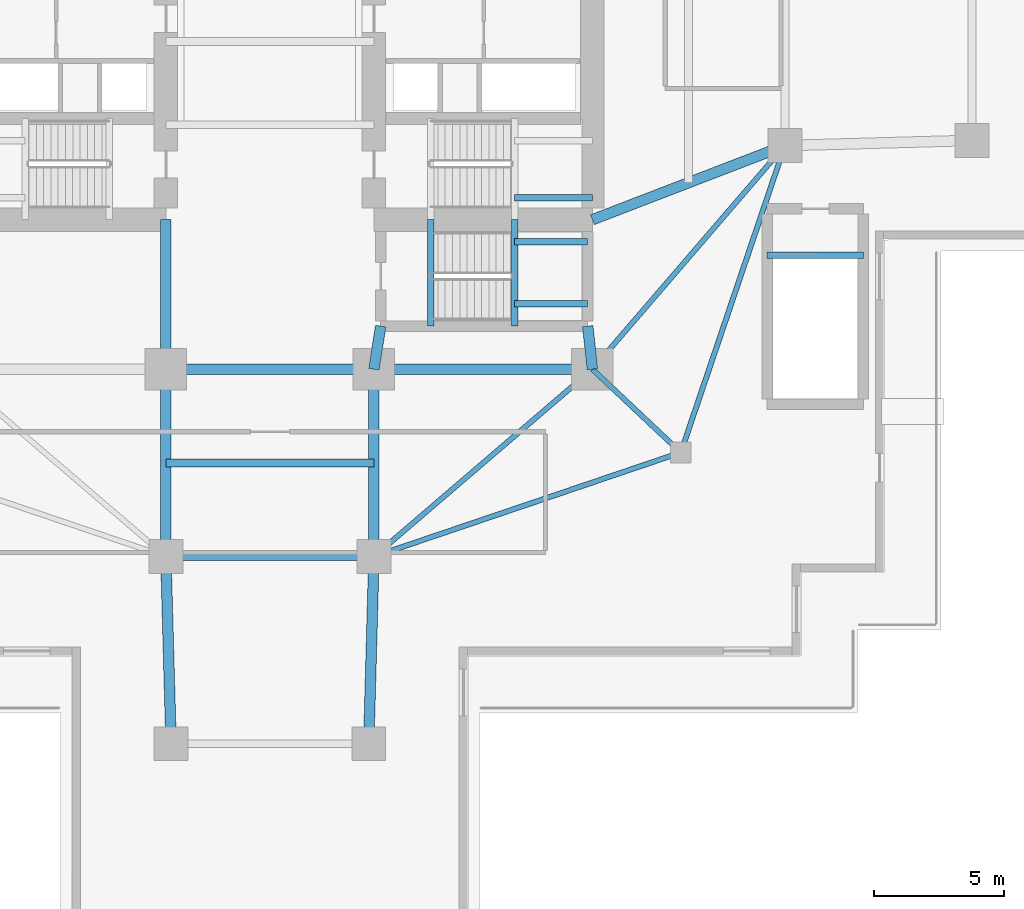
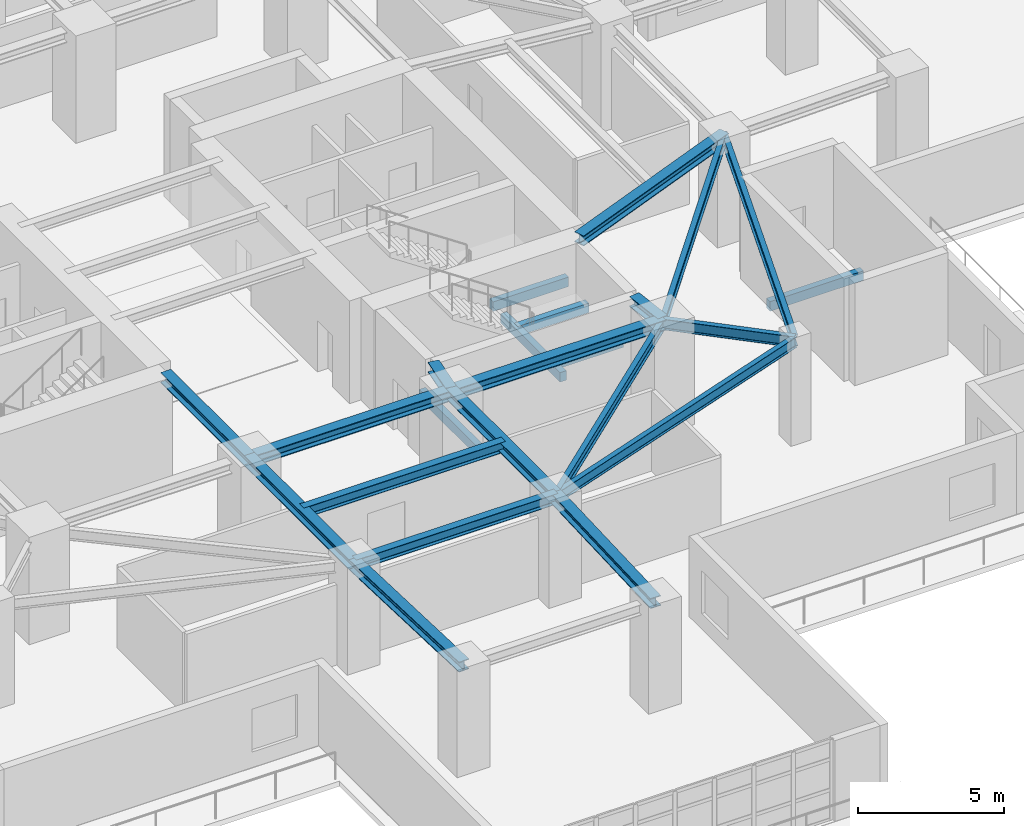
# One storey, part 6 of 24: 23 beams.
"""IFC4 building model written with IfcOpenShell, lengths in metres."""

from ifc_helpers import new_model, si_unit, direction, frame, origin, origin_2d, place, context, subcontext, project, spatial, rectangle, i_section, extrude, material, material_profile, profile_set, type_object, element, save


model = new_model("IFC4")

# Units and contexts
model_context = context("Model", 3, precision=1e-05, world=origin(), true_north=direction((0.0, 1.0)))
body_context = subcontext(model_context, "Body", "Model", "MODEL_VIEW")
ifc_project = project(units=[si_unit("LENGTHUNIT", "METRE"), si_unit("AREAUNIT", "SQUARE_METRE"), si_unit("VOLUMEUNIT", "CUBIC_METRE"), si_unit("PLANEANGLEUNIT", "RADIAN"), si_unit("MASSUNIT", "GRAM", prefix="KILO")], contexts=[model_context])

# Site, building, storey
site_placement = place(None, origin())
site = spatial("IfcSite", under=ifc_project, at=site_placement, CompositionType="ELEMENT")
building_placement = place(site_placement, origin())
building = spatial("IfcBuilding", under=site, at=building_placement, Name="Qingluan Cross Belvedere", CompositionType="ELEMENT")
storey_placement = place(building_placement, frame((0.0, 0.0, 19.199951171875)))
storey = spatial("IfcBuildingStorey", under=building, at=storey_placement, Name="L05", CompositionType="ELEMENT", Elevation=19.199951171875)

# Beams
ifc_material_1 = material(Name="Concrete C45", Category="concrete")
ifc_material_profile_1 = material_profile(ifc_material_1, rectangle(XDim=0.25, YDim=0.39990234375, at=origin_2d()), Name="RC250x400")
ifc_profile_set_1 = profile_set([ifc_material_profile_1], Name="Concrete C45")
beam_type_1 = type_object("IfcBeamType", Name="RC_Lintel_RC250x400", PredefinedType="LINTEL", material=ifc_profile_set_1)
beam_1_placement = place(storey_placement, frame((6.179931640625, -10.93994140625, -0.199951171875), z_axis=(0.0, 1.0, 0.0), x_axis=(-1.0, 0.0, 0.0)))
element("IfcBeam", 1, at=beam_1_placement, inside=storey, type_object=beam_type_1, Name="Stair ST4 landing beam L05", PredefinedType="LINTEL", context=body_context, shape_type="SweptSolid", body=[
    extrude(rectangle(XDim=0.25, YDim=0.39990234375, at=origin_2d()), origin(), (0.0, 0.0, 1.0), 4.08984375),
])
beam_2_placement = place(storey_placement, frame((19.1201171875, -8.2099609375, -0.199951171875), z_axis=(1.0, 0.0, 0.0), x_axis=(0.0, 1.0, 0.0)))
element("IfcBeam", 2, at=beam_2_placement, inside=storey, type_object=beam_type_1, Name="Stair ST6 landing beam L05", PredefinedType="LINTEL", context=body_context, shape_type="SweptSolid", body=[
    extrude(rectangle(XDim=0.25, YDim=0.39990234375, at=origin_2d()), origin(), (0.0, 0.0, 1.0), 3.699951171875),
])
beam_3_placement = place(storey_placement, frame((12.39990234375, -6.0, 1.85009765625), z_axis=(-1.0, 0.0, 0.0), x_axis=(0.0, -1.0, 0.0)))
element("IfcBeam", 3, at=beam_3_placement, inside=storey, type_object=beam_type_1, Name="Stair ST2 beam B L05", PredefinedType="LINTEL", context=body_context, shape_type="SweptSolid", body=[
    extrude(rectangle(XDim=0.25, YDim=0.39990234375, at=origin_2d()), origin(), (0.0, 0.0, 1.0), 2.989990234375),
])
beam_4_placement = place(storey_placement, frame((9.409912109375, -10.93994140625, 1.85009765625), z_axis=(0.0, 1.0, 0.0), x_axis=(-1.0, 0.0, 0.0)))
element("IfcBeam", 4, at=beam_4_placement, inside=storey, type_object=beam_type_1, Name="Stair ST4 beam A L05", PredefinedType="LINTEL", context=body_context, shape_type="SweptSolid", body=[
    extrude(rectangle(XDim=0.25, YDim=0.39990234375, at=origin_2d()), origin(), (0.0, 0.0, 1.0), 4.08984375),
])
for number, where, z_axis, x_axis, name in (
    (5, (12.219970703125, -10.090087890625, 1.85009765625), (-1.0, 0.0, 0.0), (0.0, -1.0, 0.0), "Stair ST4 beam B L05"),
    (6, (12.219970703125, -7.699951171875, 1.85009765625), (-1.0, 0.0, 0.0), (0.0, -1.0, 0.0), "Stair ST4 beam C L05"),
):
    element("IfcBeam", number, at=place(storey_placement, frame(where, z_axis=z_axis, x_axis=x_axis)), inside=storey, type_object=beam_type_1, Name=name, PredefinedType="LINTEL", context=body_context, shape_type="SweptSolid", body=[
        extrude(rectangle(XDim=0.25, YDim=0.39990234375, at=origin_2d()), origin(), (0.0, 0.0, 1.0), 2.81005859375),
    ])
ifc_material_2 = material(Name="Steel Q420GJB", Category="steel")
ifc_material_profile_2 = material_profile(ifc_material_2, i_section(OverallWidth=0.300048828125, OverallDepth=0.43994140625, WebThickness=0.010986328125, FlangeThickness=0.01806640625, FilletRadius=0.02001953125, at=origin_2d()), Name="HM440x300x11x18")
ifc_profile_set_2 = profile_set([ifc_material_profile_2], Name="Steel Q420GJB")
beam_type_2 = type_object("IfcBeamType", Name="Steel_Beam_HM440x300x11x18", PredefinedType="BEAM", material=ifc_profile_set_2)
for number, where, z_axis, x_axis, name in (
    (7, (-4.0, -19.800048828125, 4.080078125), (1.0, 0.0, 0.0), (0.0, 1.0, 0.0), "Arm S tie L05"),
    (8, (-4.0, -16.199951171875, 4.080078125), (1.0, 0.0, 0.0), (0.0, 1.0, 0.0), "Arm S beam L05"),
):
    element("IfcBeam", number, at=place(storey_placement, frame(where, z_axis=z_axis, x_axis=x_axis)), inside=storey, type_object=beam_type_2, Name=name, PredefinedType="BEAM", context=body_context, shape_type="SweptSolid", body=[
        extrude(i_section(OverallWidth=0.300048828125, OverallDepth=0.43994140625, WebThickness=0.010986328125, FlangeThickness=0.01806640625, FilletRadius=0.02001953125, at=origin_2d()), origin(), (0.0, 0.0, 1.0), 8.0),
    ])
ifc_material_3 = material(Name="Steel Q420GJB", Category="steel")
ifc_material_profile_3 = material_profile(ifc_material_3, i_section(OverallWidth=0.199951171875, OverallDepth=0.449951171875, WebThickness=0.009033203125, FlangeThickness=0.013916015625, FilletRadius=0.01611328125, at=origin_2d()), Name="HN450x200x9x14")
ifc_profile_set_3 = profile_set([ifc_material_profile_3], Name="Steel Q420GJB")
beam_type_3 = type_object("IfcBeamType", Name="Steel_Beam_HN450x200x9x14", PredefinedType="JOIST", material=ifc_profile_set_3)
beam_5_placement = place(storey_placement, frame((12.39990234375, -12.60009765625, 4.054931640625), z_axis=(0.728219948308, -0.685343495546, 0.0), x_axis=(0.685343495546, 0.728219948308, 0.0)))
element("IfcBeam", 9, at=beam_5_placement, inside=storey, type_object=beam_type_3, Name="Corner beam 1 L05-RSE", PredefinedType="JOIST", context=body_context, shape_type="SweptSolid", body=[
    extrude(i_section(OverallWidth=0.199951171875, OverallDepth=0.449951171875, WebThickness=0.009033203125, FlangeThickness=0.013916015625, FilletRadius=0.01611328125, at=origin_2d()), origin(), (0.0, 0.0, 1.0), 4.669189453125),
])
for number, where, z_axis, x_axis, name in (
    (10, (15.800048828125, -15.800048828125, 4.054931640625), (-0.947066283324, -0.321038089628, 0.0), (0.321038089628, -0.947066283324, 0.0), "Corner beam 2 L05-RSE"),
    (11, (15.800048828125, -15.800048828125, 4.054931640625), (0.321038089628, 0.947066283324, 0.0), (-0.947066283324, 0.321038089628, 0.0), "Corner beam 3 L05-RSE"),
):
    element("IfcBeam", number, at=place(storey_placement, frame(where, z_axis=z_axis, x_axis=x_axis)), inside=storey, type_object=beam_type_3, Name=name, PredefinedType="JOIST", context=body_context, shape_type="SweptSolid", body=[
        extrude(i_section(OverallWidth=0.199951171875, OverallDepth=0.449951171875, WebThickness=0.009033203125, FlangeThickness=0.013916015625, FilletRadius=0.01611328125, at=origin_2d()), origin(), (0.0, 0.0, 1.0), 12.45947265625),
    ])
beam_6_placement = place(storey_placement, frame((12.39990234375, -12.60009765625, 4.054931640625), z_axis=(0.652245077546, 0.75800815221, 0.0), x_axis=(-0.75800815221, 0.652245077546, 0.0)))
element("IfcBeam", 12, at=beam_6_placement, inside=storey, type_object=beam_type_3, Name="Corner beam 4 L05-RSE", PredefinedType="JOIST", context=body_context, shape_type="SweptSolid", body=[
    extrude(i_section(OverallWidth=0.199951171875, OverallDepth=0.449951171875, WebThickness=0.009033203125, FlangeThickness=0.013916015625, FilletRadius=0.01611328125, at=origin_2d()), origin(), (0.0, 0.0, 1.0), 11.345703125),
])
beam_7_placement = place(storey_placement, frame((12.39990234375, -12.60009765625, 4.054931640625), z_axis=(-0.759255044656, -0.650793190779, 0.0), x_axis=(0.650793190779, -0.759255044656, 0.0)))
element("IfcBeam", 13, at=beam_7_placement, inside=storey, type_object=beam_type_3, Name="Corner beam 5 L05-RSE", PredefinedType="JOIST", context=body_context, shape_type="SweptSolid", body=[
    extrude(i_section(OverallWidth=0.199951171875, OverallDepth=0.449951171875, WebThickness=0.009033203125, FlangeThickness=0.013916015625, FilletRadius=0.01611328125, at=origin_2d()), origin(), (0.0, 0.0, 1.0), 11.063232421875),
])
ifc_material_4 = material(Name="Steel Q420GJB", Category="steel")
ifc_material_profile_4 = material_profile(ifc_material_4, i_section(OverallWidth=0.406982421875, OverallDepth=0.427978515625, WebThickness=0.02001953125, FlangeThickness=0.034912109375, FilletRadius=0.02197265625, at=origin_2d()), Name="HW428x407x20x35")
ifc_profile_set_4 = profile_set([ifc_material_profile_4], Name="Steel Q420GJB")
beam_type_4 = type_object("IfcBeamType", Name="Steel_Girder_HW428x407x20x35", PredefinedType="USERDEFINED", material=ifc_profile_set_4)
beam_8_placement = place(storey_placement, frame((-4.0, -12.60009765625, 4.0859375), z_axis=(1.0, 0.0, 0.0), x_axis=(0.0, 1.0, 0.0)))
element("IfcBeam", 14, at=beam_8_placement, inside=storey, type_object=beam_type_4, Name="Hub girder L05-HG-S2", ObjectType="GIRDER", PredefinedType="USERDEFINED", context=body_context, shape_type="SweptSolid", body=[
    extrude(i_section(OverallWidth=0.406982421875, OverallDepth=0.427978515625, WebThickness=0.02001953125, FlangeThickness=0.034912109375, FilletRadius=0.02197265625, at=origin_2d()), origin(), (0.0, 0.0, 1.0), 8.0),
])
beam_9_placement = place(storey_placement, frame((4.0, -12.60009765625, 4.0859375), z_axis=(1.0, 0.0, 0.0), x_axis=(0.0, 1.0, 0.0)))
element("IfcBeam", 15, at=beam_9_placement, inside=storey, type_object=beam_type_4, Name="Hub girder L05-HG-S3", ObjectType="GIRDER", PredefinedType="USERDEFINED", context=body_context, shape_type="SweptSolid", body=[
    extrude(i_section(OverallWidth=0.406982421875, OverallDepth=0.427978515625, WebThickness=0.02001953125, FlangeThickness=0.034912109375, FilletRadius=0.02197265625, at=origin_2d()), origin(), (0.0, 0.0, 1.0), 8.39990234375),
])
beam_10_placement = place(storey_placement, frame((12.39990234375, -12.60009765625, 4.0859375), z_axis=(-0.107751337451, 0.994177876075, 0.0), x_axis=(-0.994177876075, -0.107751337451, 0.0)))
element("IfcBeam", 16, at=beam_10_placement, inside=storey, type_object=beam_type_4, Name="Hub girder L05-HG-E1", ObjectType="GIRDER", PredefinedType="USERDEFINED", context=body_context, shape_type="SweptSolid", body=[
    extrude(i_section(OverallWidth=0.406982421875, OverallDepth=0.427978515625, WebThickness=0.02001953125, FlangeThickness=0.034912109375, FilletRadius=0.02197265625, at=origin_2d()), origin(), (0.0, 0.0, 1.0), 1.669921875),
])
beam_11_placement = place(storey_placement, frame((-4.0, -12.60009765625, 4.0859375), z_axis=(0.0, 1.0, 0.0), x_axis=(-1.0, 0.0, 0.0)))
element("IfcBeam", 17, at=beam_11_placement, inside=storey, type_object=beam_type_4, Name="Hub girder L05-HG-CW", ObjectType="GIRDER", PredefinedType="USERDEFINED", context=body_context, shape_type="SweptSolid", body=[
    extrude(i_section(OverallWidth=0.406982421875, OverallDepth=0.427978515625, WebThickness=0.02001953125, FlangeThickness=0.034912109375, FilletRadius=0.02197265625, at=origin_2d()), origin(), (0.0, 0.0, 1.0), 5.75),
])
beam_12_placement = place(storey_placement, frame((4.0, -12.60009765625, 4.0859375), z_axis=(0.154731433337, 0.987956569662, 0.0), x_axis=(-0.987956569662, 0.154731433337, 0.0)))
element("IfcBeam", 18, at=beam_12_placement, inside=storey, type_object=beam_type_4, Name="Hub girder L05-HG-CE", ObjectType="GIRDER", PredefinedType="USERDEFINED", context=body_context, shape_type="SweptSolid", body=[
    extrude(i_section(OverallWidth=0.406982421875, OverallDepth=0.427978515625, WebThickness=0.02001953125, FlangeThickness=0.034912109375, FilletRadius=0.02197265625, at=origin_2d()), origin(), (0.0, 0.0, 1.0), 1.680419921875),
])
beam_13_placement = place(storey_placement, frame((12.39990234375, -6.85009765625, 4.0859375), z_axis=(0.933181258889, 0.359406090735, 0.0), x_axis=(-0.359406090735, 0.933181258889, 0.0)))
element("IfcBeam", 19, at=beam_13_placement, inside=storey, type_object=beam_type_4, Name="Arm E radial girder A L05", ObjectType="GIRDER", PredefinedType="USERDEFINED", context=body_context, shape_type="SweptSolid", body=[
    extrude(i_section(OverallWidth=0.406982421875, OverallDepth=0.427978515625, WebThickness=0.02001953125, FlangeThickness=0.034912109375, FilletRadius=0.02197265625, at=origin_2d()), origin(), (0.0, 0.0, 1.0), 7.929931640625),
])
for number, where, z_axis, x_axis, name in (
    (20, (-4.0, -12.60009765625, 4.0859375), (0.0, -1.0, 0.0), (1.0, 0.0, 0.0), "Arm S radial girder A L05"),
    (21, (4.0, -12.60009765625, 4.0859375), (0.0, -1.0, 0.0), (1.0, 0.0, 0.0), "Arm S radial girder B L05"),
):
    element("IfcBeam", number, at=place(storey_placement, frame(where, z_axis=z_axis, x_axis=x_axis)), inside=storey, type_object=beam_type_4, Name=name, ObjectType="GIRDER", PredefinedType="USERDEFINED", context=body_context, shape_type="SweptSolid", body=[
        extrude(i_section(OverallWidth=0.406982421875, OverallDepth=0.427978515625, WebThickness=0.02001953125, FlangeThickness=0.034912109375, FilletRadius=0.02197265625, at=origin_2d()), origin(), (0.0, 0.0, 1.0), 7.199951171875),
    ])
for number, where, z_axis, x_axis, name in (
    (22, (-4.0, -19.800048828125, 4.0859375), (0.027760481514, -0.999614603568, 0.0), (0.999614603568, 0.027760481514, 0.0), "Arm S outer radial girder A L05"),
    (23, (4.0, -19.800048828125, 4.0859375), (-0.027760481514, -0.999614603568, 0.0), (0.999614603568, -0.027760481514, 0.0), "Arm S outer radial girder B L05"),
):
    element("IfcBeam", number, at=place(storey_placement, frame(where, z_axis=z_axis, x_axis=x_axis)), inside=storey, type_object=beam_type_4, Name=name, ObjectType="GIRDER", PredefinedType="USERDEFINED", context=body_context, shape_type="SweptSolid", body=[
        extrude(i_section(OverallWidth=0.406982421875, OverallDepth=0.427978515625, WebThickness=0.02001953125, FlangeThickness=0.034912109375, FilletRadius=0.02197265625, at=origin_2d()), origin(), (0.0, 0.0, 1.0), 7.20263671875),
    ])

save(model, "model.ifc")
